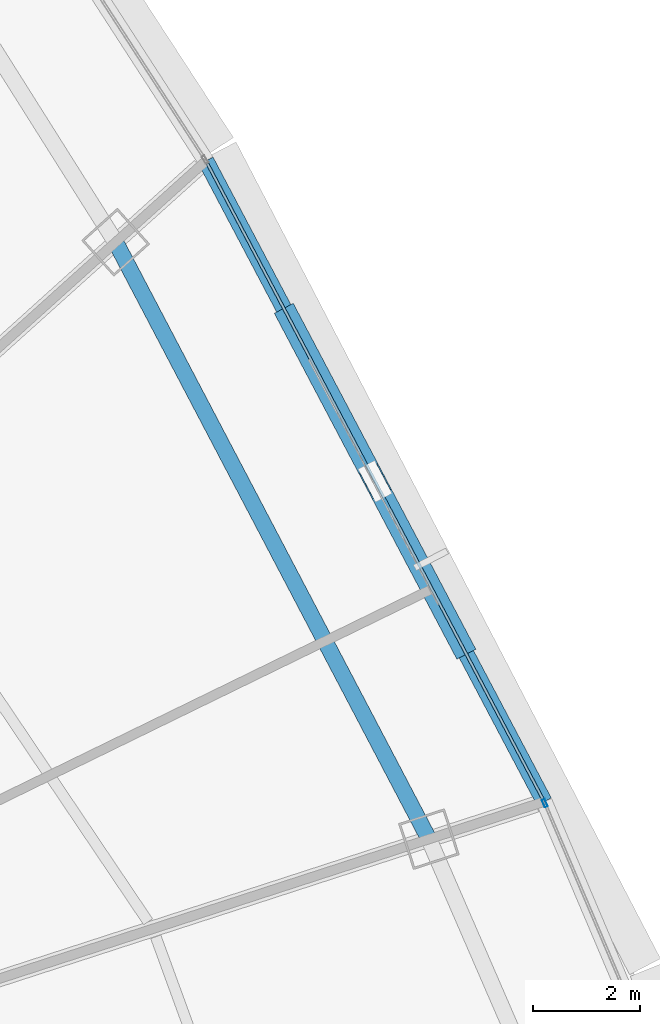
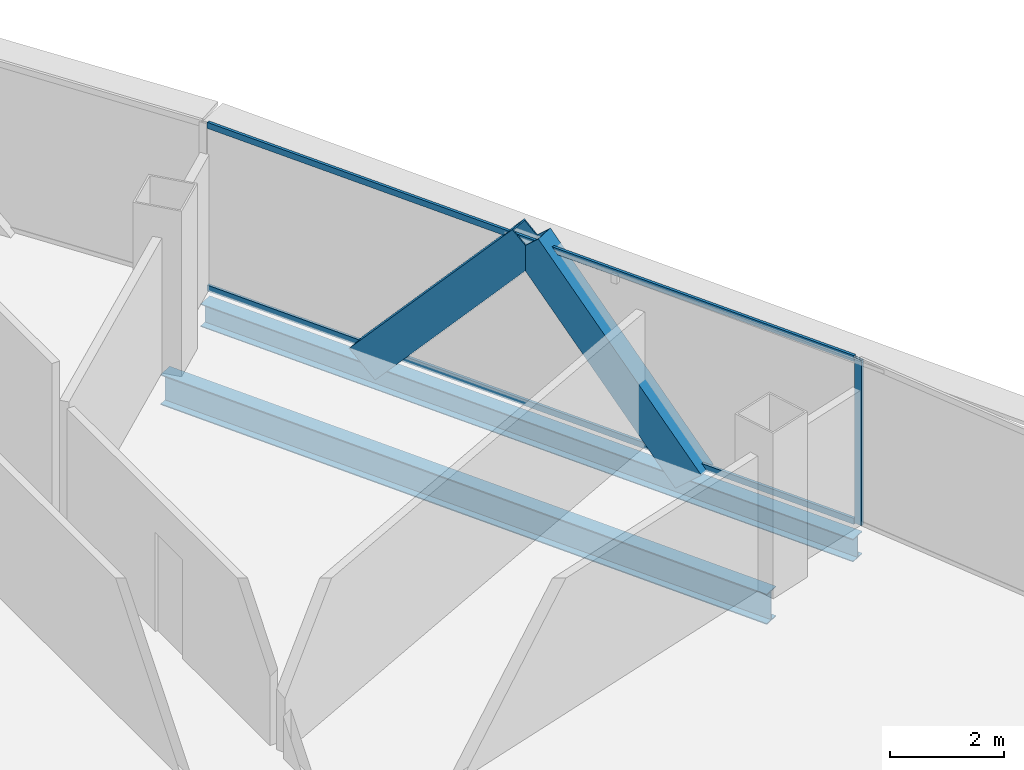
# One storey, part 26 of 40: 5 members, 2 beams, 2 elements without a shape of their own.
"""IFC4 building model written with IfcOpenShell, lengths in metres."""

from ifc_helpers import new_model, si_unit, direction, frame, origin, origin_2d, place, context, subcontext, project, spatial, hollow_rectangle, i_section, extrude, source, transform, mapped, material, layer, layer_set, material_profile, profile_set, type_object, element, aggregate, save


model = new_model("IFC4")

# Units and contexts
model_context = context("Model", 3, precision=1e-05, world=origin(), true_north=direction((0.0, 1.0)))
body_context = subcontext(model_context, "Body", "Model", "MODEL_VIEW")
ifc_project = project(units=[si_unit("LENGTHUNIT", "METRE"), si_unit("AREAUNIT", "SQUARE_METRE"), si_unit("VOLUMEUNIT", "CUBIC_METRE"), si_unit("PLANEANGLEUNIT", "RADIAN"), si_unit("MASSUNIT", "GRAM", prefix="KILO"), si_unit("THERMODYNAMICTEMPERATUREUNIT", "KELVIN"), si_unit("POWERUNIT", "WATT")], contexts=[model_context])

# Site, building, storey
site_placement = place(None, origin())
site = spatial("IfcSite", under=ifc_project, at=site_placement, CompositionType="ELEMENT")
building_placement = place(site_placement, origin())
building = spatial("IfcBuilding", under=site, at=building_placement, Name="Yunzhuo Pagoda Commons", CompositionType="ELEMENT")
storey_placement = place(building_placement, frame((0.0, 0.0, 180.9599609375)))
storey = spatial("IfcBuildingStorey", under=building, at=storey_placement, Name="L45", CompositionType="ELEMENT", Elevation=180.9599609375)

# Beams
ifc_material_1 = material(Name="Structural steel Q355B", Category="steel")
ifc_material_profile_1 = material_profile(ifc_material_1, i_section(OverallWidth=0.300048828125, OverallDepth=0.488037109375, WebThickness=0.010986328125, FlangeThickness=0.01806640625, at=origin_2d()), Name="Structural steel Q355B")
ifc_profile_set_1 = profile_set([ifc_material_profile_1], Name="Structural steel Q355B")
beam_type_1 = type_object("IfcBeamType", Name="B-SP1 Beam HM 488x300x11x18", PredefinedType="BEAM", material=ifc_profile_set_1)
shared_shape_1 = source(origin(), body_context, "Body", "SweptSolid", [
    extrude(i_section(OverallWidth=0.300048828125, OverallDepth=0.488037109375, WebThickness=0.010986328125, FlangeThickness=0.01806640625, at=origin_2d()), origin(), (0.0, 0.0, 1.0), 13.517578125),
])
beam_1_placement = place(storey_placement, frame((78.645263671875, 43.6572265625, -0.50390625), z_axis=(-0.466784517215, 0.884371084154, 0.0), x_axis=(-0.884371084154, -0.466784517215, 0.0)))
element("IfcBeam", 1, at=beam_1_placement, inside=storey, type_object=beam_type_1, Name="L45 facade edge spandrel beam F2.2", PredefinedType="BEAM", context=body_context, shape_type="MappedRepresentation", body=[
    mapped(shared_shape_1, transform((0.0, 0.0, 0.0), scale=1.0)),
])
ifc_material_profile_2 = material_profile(ifc_material_1, i_section(OverallWidth=0.300048828125, OverallDepth=0.64990234375, WebThickness=0.012939453125, FlangeThickness=0.02197265625, at=origin_2d()), Name="Structural steel Q355B")
ifc_profile_set_2 = profile_set([ifc_material_profile_2], Name="Structural steel Q355B")
beam_type_2 = type_object("IfcBeamType", Name="B-RG2 Beam HN 650x300x13x22", PredefinedType="BEAM", material=ifc_profile_set_2)
shared_shape_2 = source(origin(), body_context, "Body", "SweptSolid", [
    extrude(i_section(OverallWidth=0.300048828125, OverallDepth=0.64990234375, WebThickness=0.012939453125, FlangeThickness=0.02197265625, at=origin_2d()), origin(), (0.0, 0.0, 1.0), 12.576416015625),
])
beam_2_placement = place(storey_placement, frame((76.49462890625, 42.95849609375, -0.5849609375), z_axis=(-0.464676385233, 0.885480579689, 0.0), x_axis=(-0.885480579689, -0.464676385233, 0.0)))
element("IfcBeam", 2, at=beam_2_placement, inside=storey, type_object=beam_type_2, Name="L45 column-ring beam 6", PredefinedType="BEAM", context=body_context, shape_type="MappedRepresentation", body=[
    mapped(shared_shape_2, transform((0.0, 0.0, 0.0), scale=1.0)),
])

# Members
ifc_material_profile_3 = material_profile(ifc_material_1, hollow_rectangle(XDim=0.39990234375, YDim=0.719970703125, WallThickness=0.02392578125, at=origin_2d()), Name="Structural steel Q355B")
ifc_profile_set_3 = profile_set([ifc_material_profile_3], Name="Structural steel Q355B")
member_type_1 = type_object("IfcMemberType", Name="M-DL2 Brace BOX 720x400x24", PredefinedType="BRACE", material=ifc_profile_set_3)
shared_shape_3 = source(origin(), body_context, "Body", "SweptSolid", [
    extrude(hollow_rectangle(XDim=0.39990234375, YDim=0.719970703125, WallThickness=0.02392578125, at=origin_2d()), origin(), (0.0, 0.0, 1.0), 5.08544921875),
])
member_1_placement = place(storey_placement, frame((77.067626953125, 46.645751953125, -0.260009765625), z_axis=(-0.310171947084, 0.587747275677, 0.747225871592), x_axis=(-0.884402146748, -0.466725661205, 0.0)))
element("IfcMember", 3, at=member_1_placement, inside=storey, type_object=member_type_1, Name="L45 facade diamond brace F2.2L", PredefinedType="BRACE", context=body_context, shape_type="MappedRepresentation", body=[
    mapped(shared_shape_3, transform((0.0, 0.0, 0.0), scale=1.0)),
])
shared_shape_4 = source(origin(), body_context, "Body", "SweptSolid", [
    extrude(hollow_rectangle(XDim=0.39990234375, YDim=0.719970703125, WallThickness=0.02392578125, at=origin_2d()), origin(), (0.0, 0.0, 1.0), 5.085205078125),
])
member_2_placement = place(storey_placement, frame((73.912841796875, 52.623046875, -0.260009765625), z_axis=(0.310198202512, -0.587652994698, 0.747289122751), x_axis=(0.884354926157, 0.466815128913, 0.0)))
element("IfcMember", 4, at=member_2_placement, inside=storey, type_object=member_type_1, Name="L45 facade diamond brace F2.2R", PredefinedType="BRACE", context=body_context, shape_type="MappedRepresentation", body=[
    mapped(shared_shape_4, transform((0.0, 0.0, 0.0), scale=1.0)),
])

# Curtain wall, member
ifc_material_2 = material(Name="Anodized aluminium 6063-T6", Category="aluminium")
ifc_layer = layer(ifc_material_2, 0.14990234375)
ifc_layer_set = layer_set([ifc_layer], Name="Anodized aluminium 6063-T6")
curtain_wall_type = type_object("IfcCurtainWallType", Name="CW-MID Mid-Zone Ribbon Curtain Wall", PredefinedType="NOTDEFINED", material=ifc_layer_set)
curtain_wall_1_placement = place(storey_placement, origin())
curtain_wall_1 = element("IfcCurtainWall", 5, at=curtain_wall_1_placement, inside=storey, type_object=curtain_wall_type, Name="L45 curtain wall CW-L45-F2B2", PredefinedType="NOTDEFINED")
ifc_material_profile_4 = material_profile(ifc_material_2, hollow_rectangle(XDim=0.06005859375, YDim=0.14990234375, WallThickness=0.00390625, at=origin_2d()), Name="Anodized aluminium 6063-T6")
ifc_profile_set_4 = profile_set([ifc_material_profile_4], Name="Anodized aluminium 6063-T6")
member_type_2 = type_object("IfcMemberType", Name="CW-MID-M Mullion RHS 150x60x4", PredefinedType="MULLION", material=ifc_profile_set_4)
shared_shape_5 = source(origin(), body_context, "Body", "SweptSolid", [
    extrude(hollow_rectangle(XDim=0.06005859375, YDim=0.14990234375, WallThickness=0.00390625, at=origin_2d()), origin(), (0.0, 0.0, 1.0), 3.5400390625),
])
member_3_placement = place(storey_placement, frame((78.65673828125, 43.629638671875, 0.0), z_axis=(0.0, 0.0, 1.0), x_axis=(-0.920515325194, -0.390706457693, 0.0)))
member_3 = element("IfcMember", 6, at=member_3_placement, type_object=member_type_2, Name="CW mullion 2", PredefinedType="MULLION", context=body_context, shape_type="MappedRepresentation", body=[
    mapped(shared_shape_5, transform((0.0, 0.0, 0.0), scale=1.0)),
])
aggregate(curtain_wall_1, [member_3])

# Curtain wall, members
curtain_wall_2_placement = place(storey_placement, origin())
curtain_wall_2 = element("IfcCurtainWall", 7, at=curtain_wall_2_placement, inside=storey, type_object=curtain_wall_type, Name="L45 curtain wall CW-L45-F2B3", PredefinedType="NOTDEFINED")
ifc_material_profile_5 = material_profile(ifc_material_2, hollow_rectangle(XDim=0.054931640625, YDim=0.1298828125, WallThickness=0.00341796875, at=origin_2d()), Name="Anodized aluminium 6063-T6")
ifc_profile_set_5 = profile_set([ifc_material_profile_5], Name="Anodized aluminium 6063-T6")
member_type_3 = type_object("IfcMemberType", Name="CW-MID-T Transom RHS 130x55x3.5", PredefinedType="USERDEFINED", material=ifc_profile_set_5)
shared_shape_6 = source(origin(), body_context, "Body", "SweptSolid", [
    extrude(hollow_rectangle(XDim=0.054931640625, YDim=0.1298828125, WallThickness=0.00341796875, at=origin_2d()), origin(), (0.0, 0.0, 1.0), 13.397705078125),
])
member_4_placement = place(storey_placement, frame((78.617431640625, 43.710205078125, 0.027587890625), z_axis=(-0.466793063104, 0.884366573451, 0.0), x_axis=(-0.884366573451, -0.466793063104, 0.0)))
member_4 = element("IfcMember", 8, at=member_4_placement, type_object=member_type_3, Name="CW transom 1.1", ObjectType="TRANSOM", PredefinedType="USERDEFINED", context=body_context, shape_type="MappedRepresentation", body=[
    mapped(shared_shape_6, transform((0.0, 0.0, 0.0), scale=1.0)),
])
member_5_placement = place(storey_placement, frame((78.617431640625, 43.710205078125, 3.512451171875), z_axis=(-0.466793063104, 0.884366573451, 0.0), x_axis=(-0.884366573451, -0.466793063104, 0.0)))
member_5 = element("IfcMember", 9, at=member_5_placement, type_object=member_type_3, Name="CW transom 1.2", ObjectType="TRANSOM", PredefinedType="USERDEFINED", context=body_context, shape_type="MappedRepresentation", body=[
    mapped(shared_shape_6, transform((0.0, 0.0, 0.0), scale=1.0)),
])
aggregate(curtain_wall_2, [member_4, member_5])

save(model, "model.ifc")
